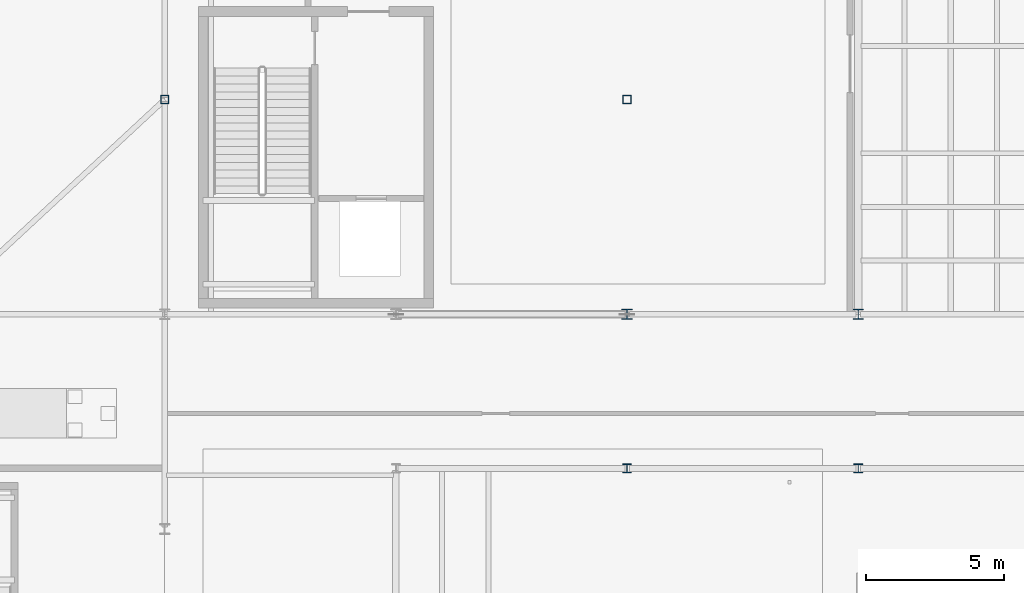
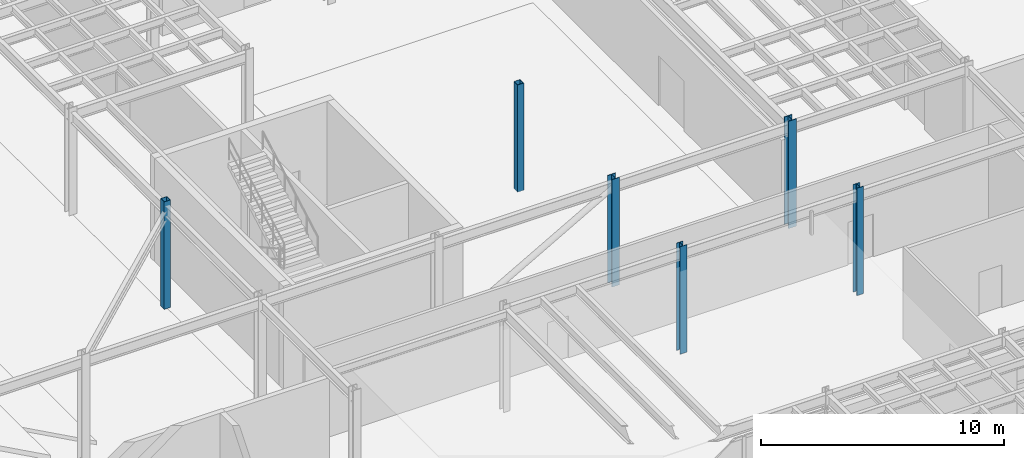
# One storey, part 4 of 87: 6 columns.
"""IFC4 building model written with IfcOpenShell, lengths in metres."""

from ifc_helpers import new_model, si_unit, direction, frame, origin, origin_2d, place, context, subcontext, project, spatial, hollow_rectangle, i_section, extrude, material, material_profile, profile_set, type_object, element, save


model = new_model("IFC4")

# Units and contexts
model_context = context("Model", 3, precision=1e-05, world=origin(), true_north=direction((0.0, 1.0)))
body_context = subcontext(model_context, "Body", "Model", "MODEL_VIEW")
ifc_project = project(units=[si_unit("LENGTHUNIT", "METRE"), si_unit("AREAUNIT", "SQUARE_METRE"), si_unit("VOLUMEUNIT", "CUBIC_METRE"), si_unit("PLANEANGLEUNIT", "RADIAN"), si_unit("MASSUNIT", "GRAM", prefix="KILO")], contexts=[model_context])

# Site, building, storey
site_placement = place(None, origin())
site = spatial("IfcSite", under=ifc_project, at=site_placement, CompositionType="ELEMENT")
building_placement = place(site_placement, origin())
building = spatial("IfcBuilding", under=site, at=building_placement, Name="Selat Folded Stagehouse", CompositionType="ELEMENT")
storey_placement = place(building_placement, origin())
storey = spatial("IfcBuildingStorey", under=building, at=storey_placement, Name="L00", CompositionType="ELEMENT", Elevation=0.0)

# Columns
ifc_material = material(Name="Steel S355", Category="steel")
ifc_material_profile_1 = material_profile(ifc_material, i_section(OverallWidth=0.311279296875, OverallDepth=0.3271484375, WebThickness=0.015869140625, FlangeThickness=0.02490234375, FilletRadius=0.01513671875, at=origin_2d()), Name="UKC 305x305x158")
ifc_profile_set_1 = profile_set([ifc_material_profile_1], Name="Steel S355")
column_type_1 = type_object("IfcColumnType", Name="COL-UKC-305x305x158", PredefinedType="COLUMN", material=ifc_profile_set_1)
for number, where, z_axis, x_axis, name in (
    (1, (50.39990234375, 17.800048828125, 0.0), (0.0, 0.0, 1.0), (1.0, 0.0, 0.0), "L00 column STK-V5-50-178"),
    (2, (58.800048828125, 17.800048828125, 0.0), (0.0, 0.0, 1.0), (1.0, 0.0, 0.0), "L00 column STK-V5-58-178"),
):
    element("IfcColumn", number, at=place(storey_placement, frame(where, z_axis=z_axis, x_axis=x_axis)), inside=storey, type_object=column_type_1, Name=name, PredefinedType="COLUMN", context=body_context, shape_type="SweptSolid", body=[
        extrude(i_section(OverallWidth=0.311279296875, OverallDepth=0.3271484375, WebThickness=0.015869140625, FlangeThickness=0.02490234375, FilletRadius=0.01513671875, at=origin_2d()), origin(), (0.0, 0.0, 1.0), 5.39990234375),
    ])
ifc_material_profile_2 = material_profile(ifc_material, i_section(OverallWidth=0.374755859375, OverallDepth=0.37451171875, WebThickness=0.0166015625, FlangeThickness=0.027099609375, FilletRadius=0.01513671875, at=origin_2d()), Name="UKC 356x368x202")
ifc_profile_set_2 = profile_set([ifc_material_profile_2], Name="Steel S355")
column_type_2 = type_object("IfcColumnType", Name="COL-UKC-356x368x202", PredefinedType="COLUMN", material=ifc_profile_set_2)
for number, where, z_axis, x_axis, name in (
    (3, (50.39990234375, 23.39990234375, 0.0), (0.0, 0.0, 1.0), (1.0, 0.0, 0.0), "L00 column STK-V2-15"),
    (4, (58.800048828125, 23.39990234375, 0.0), (0.0, 0.0, 1.0), (1.0, 0.0, 0.0), "L00 column STK-V2-18"),
):
    element("IfcColumn", number, at=place(storey_placement, frame(where, z_axis=z_axis, x_axis=x_axis)), inside=storey, type_object=column_type_2, Name=name, PredefinedType="COLUMN", context=body_context, shape_type="SweptSolid", body=[
        extrude(i_section(OverallWidth=0.374755859375, OverallDepth=0.37451171875, WebThickness=0.0166015625, FlangeThickness=0.027099609375, FilletRadius=0.01513671875, at=origin_2d()), origin(), (0.0, 0.0, 1.0), 5.39990234375),
    ])
ifc_material_profile_3 = material_profile(ifc_material, hollow_rectangle(XDim=0.300048828125, YDim=0.300048828125, WallThickness=0.01611328125, at=origin_2d()), Name="SHS 300x300x16.0")
ifc_profile_set_3 = profile_set([ifc_material_profile_3], Name="Steel S355")
column_type_3 = type_object("IfcColumnType", Name="PIL-SHS-300x300", PredefinedType="PILASTER", material=ifc_profile_set_3)
for number, where, z_axis, x_axis, name in (
    (5, (33.60009765625, 31.199951171875, 0.0), (0.0, 0.0, 1.0), (1.0, 0.0, 0.0), "L00 pilaster 1"),
    (6, (50.39990234375, 31.199951171875, 0.0), (0.0, 0.0, 1.0), (1.0, 0.0, 0.0), "L00 pilaster 2"),
):
    element("IfcColumn", number, at=place(storey_placement, frame(where, z_axis=z_axis, x_axis=x_axis)), inside=storey, type_object=column_type_3, Name=name, PredefinedType="PILASTER", context=body_context, shape_type="SweptSolid", body=[
        extrude(hollow_rectangle(XDim=0.300048828125, YDim=0.300048828125, WallThickness=0.01611328125, at=origin_2d()), origin(), (0.0, 0.0, 1.0), 5.39990234375),
    ])

save(model, "model.ifc")
